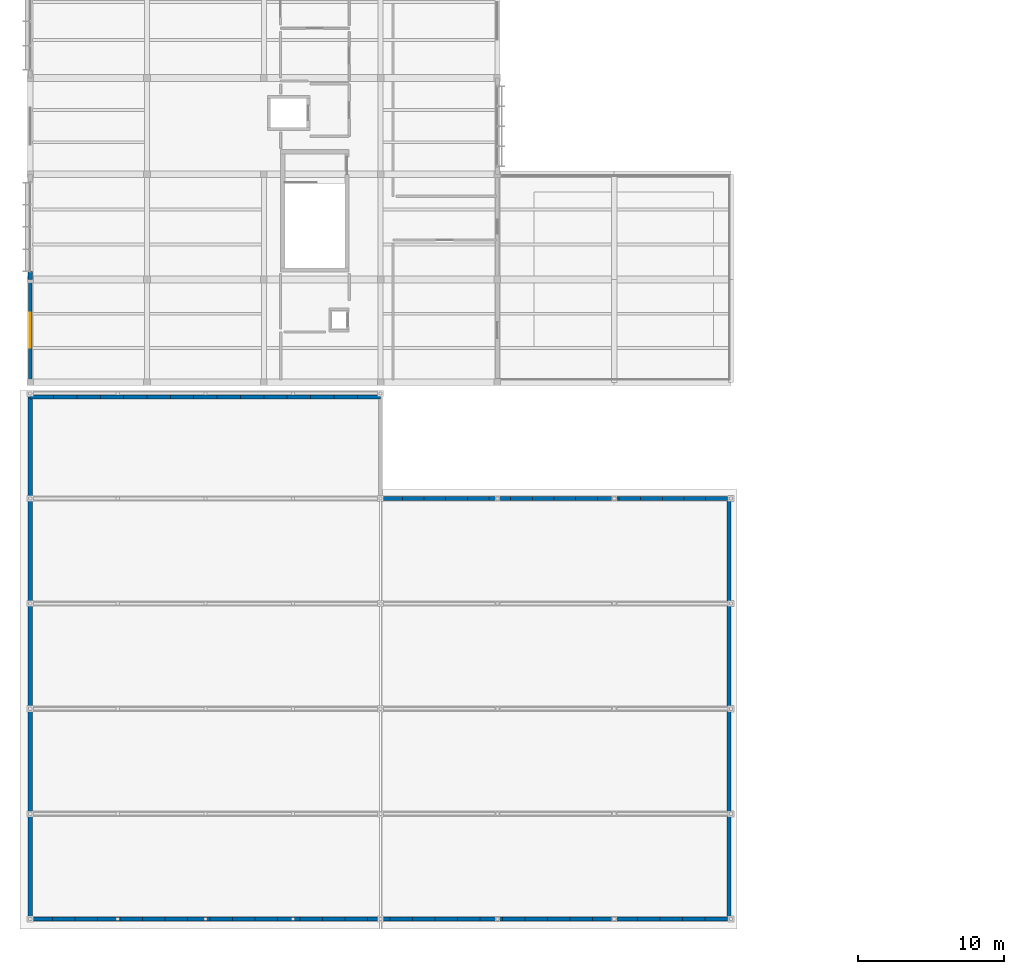
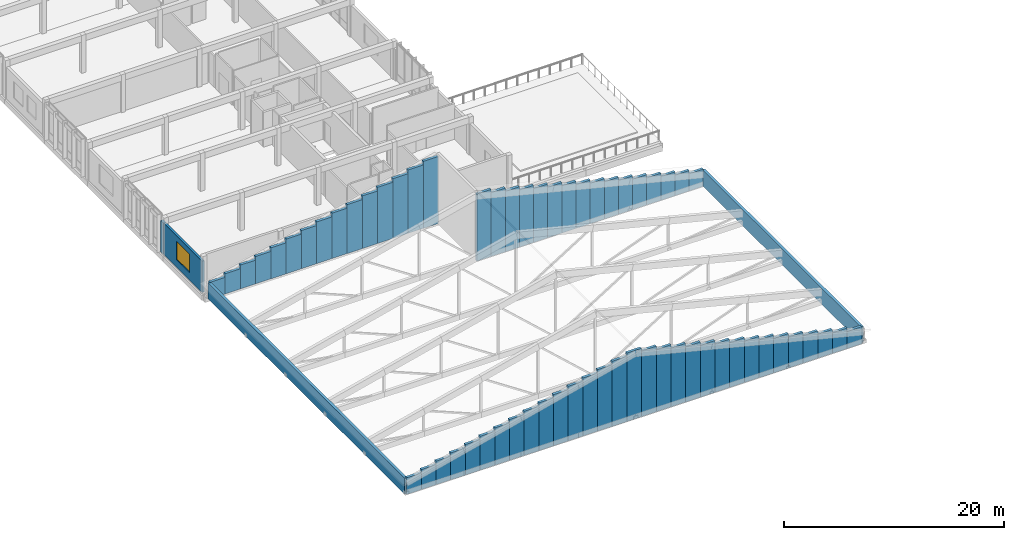
# One storey, part 88 of 107: 66 walls, 1 window, 1 opening.
"""IFC4 building model written with IfcOpenShell, lengths in metres."""

from ifc_helpers import new_model, si_unit, direction, frame, frame_2d, origin, origin_with_axes, place, context, subcontext, project, spatial, rectangle, extrude, material, layer, layer_set, type_object, element, fill, save


model = new_model("IFC4")

# Units and contexts
model_context = context("Model", 3, precision=1e-05, world=origin(), true_north=direction((0.0, 1.0)))
body_context = subcontext(model_context, "Body", "Model", "MODEL_VIEW")
ifc_project = project(units=[si_unit("LENGTHUNIT", "METRE"), si_unit("AREAUNIT", "SQUARE_METRE"), si_unit("VOLUMEUNIT", "CUBIC_METRE"), si_unit("PLANEANGLEUNIT", "RADIAN"), si_unit("MASSUNIT", "GRAM", prefix="KILO")], contexts=[model_context])

# Site, building, storey
site_placement = place(None, origin())
site = spatial("IfcSite", under=ifc_project, at=site_placement, CompositionType="ELEMENT")
building_placement = place(site_placement, origin())
building = spatial("IfcBuilding", under=site, at=building_placement, Name="Chiffa Square Polytechnic", CompositionType="ELEMENT")
storey_placement = place(building_placement, frame((0.0, 0.0, 13.800048828125)))
storey = spatial("IfcBuildingStorey", under=building, at=storey_placement, Name="L03", CompositionType="ELEMENT", Elevation=13.800048828125)

# Wall, opening, window
ifc_material_1 = material(Name="Precast concrete C40/50", Category="concrete")
ifc_layer_1 = layer(ifc_material_1, 0.239990234375, Name="Precast concrete C40/50")
ifc_layer_set_1 = layer_set([ifc_layer_1], Name="Precast concrete C40/50")
wall_type_1 = type_object("IfcWallType", Name="WL-EXT-PC240", PredefinedType="SOLIDWALL", material=ifc_layer_set_1)
wall_1_placement = place(storey_placement, frame((0.0, 43.800048828125, 0.0), z_axis=(0.0, 0.0, 1.0), x_axis=(0.0, -1.0, 0.0)))
wall_1 = element("IfcWall", 1, at=wall_1_placement, inside=storey, type_object=wall_type_1, Name="Exterior wall WE-V6-L03-0466", PredefinedType="SOLIDWALL", context=body_context, shape_type="SweptSolid", body=[
    extrude(rectangle(XDim=6.949951171875, YDim=0.239990234375, at=frame_2d((3.47509765625, 0.0))), origin(), (0.0, 0.0, 1.0), 3.48486328125),
])
opening_placement = place(wall_1_placement, frame((2.27490234375, 0.0, 0.85009765625)))
opening = element("IfcOpeningElement", 2, at=opening_placement, cuts=wall_1, Name="Opening W-10", PredefinedType="OPENING", context=body_context, shape_type="SweptSolid", body=[
    extrude(rectangle(XDim=2.39990234375, YDim=2.050048828125, at=frame_2d((1.199951171875, 1.02490234375))), frame((0.0, 0.1298828125, 0.0), z_axis=(0.0, -1.0, 0.0), x_axis=(1.0, 0.0, 0.0)), (0.0, 0.0, 1.0), 0.260009765625),
])
ifc_material_2 = material(Name="Double glazing in thermally broken aluminium frame", Category="aluminium")
window_type = type_object("IfcWindowType", Name="WIN-STD-2400X2050", PartitioningType="DOUBLE_PANEL_VERTICAL", PredefinedType="WINDOW", material=ifc_material_2)
window_placement = place(opening_placement, origin())
window = element("IfcWindow", 3, at=window_placement, inside=storey, type_object=window_type, Name="Facade window WN-L03-0310", OverallHeight=2.050048828125, OverallWidth=2.39990234375, PartitioningType="DOUBLE_PANEL_VERTICAL", PredefinedType="WINDOW", context=body_context, shape_type="SweptSolid", body=[
    extrude(rectangle(XDim=2.39990234375, YDim=2.050048828125, at=frame_2d((1.199951171875, 1.02490234375))), frame((0.0, 0.030029296875, 0.0), z_axis=(0.0, -1.0, 0.0), x_axis=(1.0, 0.0, 0.0)), (0.0, 0.0, 1.0), 0.06005859375),
])
fill(opening, window)

# Walls
ifc_layer_2 = layer(ifc_material_1, 0.280029296875, Name="Precast concrete C40/50")
ifc_layer_set_2 = layer_set([ifc_layer_2], Name="Precast concrete C40/50")
wall_type_2 = type_object("IfcWallType", Name="WL-EXT-PC280", PredefinedType="SOLIDWALL", material=ifc_layer_set_2)
wall_2_placement = place(storey_placement, frame((0.0, 44.340087890625, 0.0), z_axis=(0.0, 0.0, 1.0), x_axis=(0.0, -1.0, 0.0)))
element("IfcWall", 4, at=wall_2_placement, inside=storey, type_object=wall_type_2, Name="Facade column pier V6-L03-0465R", PredefinedType="SOLIDWALL", context=body_context, shape_type="SweptSolid", body=[
    extrude(rectangle(XDim=0.5400390625, YDim=0.280029296875, at=frame_2d((0.27001953125, 0.0))), origin(), (0.0, 0.0, 1.0), 3.48486328125),
])
wall_3_placement = place(storey_placement, frame((0.0, 0.0, 0.0), z_axis=(0.0, 0.0, 1.0), x_axis=(0.0, 1.0, 0.0)))
element("IfcWall", 5, at=wall_3_placement, inside=storey, type_object=wall_type_2, Name="Lecture pavilion west eave wall WE-V3-L03-EAVE-W", PredefinedType="SOLIDWALL", context=body_context, shape_type="SweptSolid", body=[
    extrude(rectangle(XDim=35.75, YDim=0.280029296875, at=frame_2d((17.875, 0.0))), origin(), (0.0, 0.0, 1.0), 1.780029296875),
])
wall_4_placement = place(storey_placement, frame((47.860107421875, 0.0, 0.0), z_axis=(0.0, 0.0, 1.0), x_axis=(0.0, 1.0, 0.0)))
element("IfcWall", 6, at=wall_4_placement, inside=storey, type_object=wall_type_2, Name="Lecture pavilion east eave wall WE-V3-L03-EAVE-E", PredefinedType="SOLIDWALL", context=body_context, shape_type="SweptSolid", body=[
    extrude(rectangle(XDim=28.800048828125, YDim=0.280029296875, at=frame_2d((14.39990234375, 0.0))), origin(), (0.0, 0.0, 1.0), 1.780029296875),
])
wall_5_placement = place(storey_placement, origin_with_axes())
element("IfcWall", 7, at=wall_5_placement, inside=storey, type_object=wall_type_2, Name="Stepped gable infill wall WE-V3-GBL-S-01", PredefinedType="SOLIDWALL", context=body_context, shape_type="SweptSolid", body=[
    extrude(rectangle(XDim=1.5400390625, YDim=0.280029296875, at=frame_2d((0.77001953125, 0.0))), origin(), (0.0, 0.0, 1.0), 1.837890625),
])
wall_6_placement = place(storey_placement, frame((1.5400390625, 0.0, 0.0), z_axis=(0.0, 0.0, 1.0), x_axis=(1.0, 0.0, 0.0)))
element("IfcWall", 8, at=wall_6_placement, inside=storey, type_object=wall_type_2, Name="Stepped gable infill wall WE-V3-GBL-S-02", PredefinedType="SOLIDWALL", context=body_context, shape_type="SweptSolid", body=[
    extrude(rectangle(XDim=1.541015625, YDim=0.280029296875, at=frame_2d((0.7705078125, 0.0))), origin(), (0.0, 0.0, 1.0), 2.221923828125),
])
wall_7_placement = place(storey_placement, frame((3.0810546875, 0.0, 0.0), z_axis=(0.0, 0.0, 1.0), x_axis=(1.0, 0.0, 0.0)))
element("IfcWall", 9, at=wall_7_placement, inside=storey, type_object=wall_type_2, Name="Stepped gable infill wall WE-V3-GBL-S-03", PredefinedType="SOLIDWALL", context=body_context, shape_type="SweptSolid", body=[
    extrude(rectangle(XDim=1.5400390625, YDim=0.280029296875, at=frame_2d((0.77001953125, 0.0))), origin(), (0.0, 0.0, 1.0), 2.60595703125),
])
wall_8_placement = place(storey_placement, frame((4.62109375, 0.0, 0.0), z_axis=(0.0, 0.0, 1.0), x_axis=(1.0, 0.0, 0.0)))
element("IfcWall", 10, at=wall_8_placement, inside=storey, type_object=wall_type_2, Name="Stepped gable infill wall WE-V3-GBL-S-04", PredefinedType="SOLIDWALL", context=body_context, shape_type="SweptSolid", body=[
    extrude(rectangle(XDim=1.539794921875, YDim=0.280029296875, at=frame_2d((0.77001953125, 0.0))), origin(), (0.0, 0.0, 1.0), 2.989990234375),
])
wall_9_placement = place(storey_placement, frame((6.160888671875, 0.0, 0.0), z_axis=(0.0, 0.0, 1.0), x_axis=(1.0, 0.0, 0.0)))
element("IfcWall", 11, at=wall_9_placement, inside=storey, type_object=wall_type_2, Name="Stepped gable infill wall WE-V3-GBL-S-05", PredefinedType="SOLIDWALL", context=body_context, shape_type="SweptSolid", body=[
    extrude(rectangle(XDim=1.541015625, YDim=0.280029296875, at=frame_2d((0.7705078125, 0.0))), origin(), (0.0, 0.0, 1.0), 3.3740234375),
])
wall_10_placement = place(storey_placement, frame((7.701904296875, 0.0, 0.0), z_axis=(0.0, 0.0, 1.0), x_axis=(1.0, 0.0, 0.0)))
element("IfcWall", 12, at=wall_10_placement, inside=storey, type_object=wall_type_2, Name="Stepped gable infill wall WE-V3-GBL-S-06", PredefinedType="SOLIDWALL", context=body_context, shape_type="SweptSolid", body=[
    extrude(rectangle(XDim=1.5400390625, YDim=0.280029296875, at=frame_2d((0.77001953125, 0.0))), origin(), (0.0, 0.0, 1.0), 3.758056640625),
])
wall_11_placement = place(storey_placement, frame((9.241943359375, 0.0, 0.0), z_axis=(0.0, 0.0, 1.0), x_axis=(1.0, 0.0, 0.0)))
element("IfcWall", 13, at=wall_11_placement, inside=storey, type_object=wall_type_2, Name="Stepped gable infill wall WE-V3-GBL-S-07", PredefinedType="SOLIDWALL", context=body_context, shape_type="SweptSolid", body=[
    extrude(rectangle(XDim=1.5400390625, YDim=0.280029296875, at=frame_2d((0.77001953125, 0.0))), origin(), (0.0, 0.0, 1.0), 4.141845703125),
])
wall_12_placement = place(storey_placement, frame((10.781982421875, 0.0, 0.0), z_axis=(0.0, 0.0, 1.0), x_axis=(1.0, 0.0, 0.0)))
element("IfcWall", 14, at=wall_12_placement, inside=storey, type_object=wall_type_2, Name="Stepped gable infill wall WE-V3-GBL-S-08", PredefinedType="SOLIDWALL", context=body_context, shape_type="SweptSolid", body=[
    extrude(rectangle(XDim=1.541015625, YDim=0.280029296875, at=frame_2d((0.7705078125, 0.0))), origin(), (0.0, 0.0, 1.0), 4.52587890625),
])
wall_13_placement = place(storey_placement, frame((12.322998046875, 0.0, 0.0), z_axis=(0.0, 0.0, 1.0), x_axis=(1.0, 0.0, 0.0)))
element("IfcWall", 15, at=wall_13_placement, inside=storey, type_object=wall_type_2, Name="Stepped gable infill wall WE-V3-GBL-S-09", PredefinedType="SOLIDWALL", context=body_context, shape_type="SweptSolid", body=[
    extrude(rectangle(XDim=1.5400390625, YDim=0.280029296875, at=frame_2d((0.77001953125, 0.0))), origin(), (0.0, 0.0, 1.0), 4.909912109375),
])
wall_14_placement = place(storey_placement, frame((13.863037109375, 0.0, 0.0), z_axis=(0.0, 0.0, 1.0), x_axis=(1.0, 0.0, 0.0)))
element("IfcWall", 16, at=wall_14_placement, inside=storey, type_object=wall_type_2, Name="Stepped gable infill wall WE-V3-GBL-S-10", PredefinedType="SOLIDWALL", context=body_context, shape_type="SweptSolid", body=[
    extrude(rectangle(XDim=1.5400390625, YDim=0.280029296875, at=frame_2d((0.77001953125, 0.0))), origin(), (0.0, 0.0, 1.0), 5.2939453125),
])
wall_15_placement = place(storey_placement, frame((15.403076171875, 0.0, 0.0), z_axis=(0.0, 0.0, 1.0), x_axis=(1.0, 0.0, 0.0)))
element("IfcWall", 17, at=wall_15_placement, inside=storey, type_object=wall_type_2, Name="Stepped gable infill wall WE-V3-GBL-S-11", PredefinedType="SOLIDWALL", context=body_context, shape_type="SweptSolid", body=[
    extrude(rectangle(XDim=1.541015625, YDim=0.280029296875, at=frame_2d((0.7705078125, 0.0))), origin(), (0.0, 0.0, 1.0), 5.677978515625),
])
wall_16_placement = place(storey_placement, frame((16.944091796875, 0.0, 0.0), z_axis=(0.0, 0.0, 1.0), x_axis=(1.0, 0.0, 0.0)))
element("IfcWall", 18, at=wall_16_placement, inside=storey, type_object=wall_type_2, Name="Stepped gable infill wall WE-V3-GBL-S-12", PredefinedType="SOLIDWALL", context=body_context, shape_type="SweptSolid", body=[
    extrude(rectangle(XDim=1.539794921875, YDim=0.280029296875, at=frame_2d((0.77001953125, 0.0))), origin(), (0.0, 0.0, 1.0), 6.06201171875),
])
wall_17_placement = place(storey_placement, frame((18.48388671875, 0.0, 0.0), z_axis=(0.0, 0.0, 1.0), x_axis=(1.0, 0.0, 0.0)))
element("IfcWall", 19, at=wall_17_placement, inside=storey, type_object=wall_type_2, Name="Stepped gable infill wall WE-V3-GBL-S-13", PredefinedType="SOLIDWALL", context=body_context, shape_type="SweptSolid", body=[
    extrude(rectangle(XDim=1.5400390625, YDim=0.280029296875, at=frame_2d((0.77001953125, 0.0))), origin(), (0.0, 0.0, 1.0), 6.446044921875),
])
wall_18_placement = place(storey_placement, frame((20.02392578125, 0.0, 0.0), z_axis=(0.0, 0.0, 1.0), x_axis=(1.0, 0.0, 0.0)))
element("IfcWall", 20, at=wall_18_placement, inside=storey, type_object=wall_type_2, Name="Stepped gable infill wall WE-V3-GBL-S-14", PredefinedType="SOLIDWALL", context=body_context, shape_type="SweptSolid", body=[
    extrude(rectangle(XDim=1.541015625, YDim=0.280029296875, at=frame_2d((0.7705078125, 0.0))), origin(), (0.0, 0.0, 1.0), 6.829833984375),
])
wall_19_placement = place(storey_placement, frame((21.56494140625, 0.0, 0.0), z_axis=(0.0, 0.0, 1.0), x_axis=(1.0, 0.0, 0.0)))
element("IfcWall", 21, at=wall_19_placement, inside=storey, type_object=wall_type_2, Name="Stepped gable infill wall WE-V3-GBL-S-15", PredefinedType="SOLIDWALL", context=body_context, shape_type="SweptSolid", body=[
    extrude(rectangle(XDim=1.5400390625, YDim=0.280029296875, at=frame_2d((0.77001953125, 0.0))), origin(), (0.0, 0.0, 1.0), 7.2138671875),
])
wall_20_placement = place(storey_placement, frame((23.10498046875, 0.0, 0.0), z_axis=(0.0, 0.0, 1.0), x_axis=(1.0, 0.0, 0.0)))
element("IfcWall", 22, at=wall_20_placement, inside=storey, type_object=wall_type_2, Name="Stepped gable infill wall WE-V3-GBL-S-16", PredefinedType="SOLIDWALL", context=body_context, shape_type="SweptSolid", body=[
    extrude(rectangle(XDim=1.5400390625, YDim=0.280029296875, at=frame_2d((0.77001953125, 0.0))), origin(), (0.0, 0.0, 1.0), 7.597900390625),
])
wall_21_placement = place(storey_placement, frame((24.64501953125, 0.0, 0.0), z_axis=(0.0, 0.0, 1.0), x_axis=(1.0, 0.0, 0.0)))
element("IfcWall", 23, at=wall_21_placement, inside=storey, type_object=wall_type_2, Name="Stepped gable infill wall WE-V3-GBL-S-17", PredefinedType="SOLIDWALL", context=body_context, shape_type="SweptSolid", body=[
    extrude(rectangle(XDim=1.5400390625, YDim=0.280029296875, at=frame_2d((0.77001953125, 0.0))), origin(), (0.0, 0.0, 1.0), 7.27685546875),
])
wall_22_placement = place(storey_placement, frame((26.18505859375, 0.0, 0.0), z_axis=(0.0, 0.0, 1.0), x_axis=(1.0, 0.0, 0.0)))
element("IfcWall", 24, at=wall_22_placement, inside=storey, type_object=wall_type_2, Name="Stepped gable infill wall WE-V3-GBL-S-18", PredefinedType="SOLIDWALL", context=body_context, shape_type="SweptSolid", body=[
    extrude(rectangle(XDim=1.541015625, YDim=0.280029296875, at=frame_2d((0.7705078125, 0.0))), origin(), (0.0, 0.0, 1.0), 6.89306640625),
])
wall_23_placement = place(storey_placement, frame((27.72607421875, 0.0, 0.0), z_axis=(0.0, 0.0, 1.0), x_axis=(1.0, 0.0, 0.0)))
element("IfcWall", 25, at=wall_23_placement, inside=storey, type_object=wall_type_2, Name="Stepped gable infill wall WE-V3-GBL-S-19", PredefinedType="SOLIDWALL", context=body_context, shape_type="SweptSolid", body=[
    extrude(rectangle(XDim=1.5400390625, YDim=0.280029296875, at=frame_2d((0.77001953125, 0.0))), origin(), (0.0, 0.0, 1.0), 6.508056640625),
])
wall_24_placement = place(storey_placement, frame((29.26611328125, 0.0, 0.0), z_axis=(0.0, 0.0, 1.0), x_axis=(1.0, 0.0, 0.0)))
element("IfcWall", 26, at=wall_24_placement, inside=storey, type_object=wall_type_2, Name="Stepped gable infill wall WE-V3-GBL-S-20", PredefinedType="SOLIDWALL", context=body_context, shape_type="SweptSolid", body=[
    extrude(rectangle(XDim=1.539794921875, YDim=0.280029296875, at=frame_2d((0.77001953125, 0.0))), origin(), (0.0, 0.0, 1.0), 6.1240234375),
])
wall_25_placement = place(storey_placement, frame((30.805908203125, 0.0, 0.0), z_axis=(0.0, 0.0, 1.0), x_axis=(1.0, 0.0, 0.0)))
element("IfcWall", 27, at=wall_25_placement, inside=storey, type_object=wall_type_2, Name="Stepped gable infill wall WE-V3-GBL-S-21", PredefinedType="SOLIDWALL", context=body_context, shape_type="SweptSolid", body=[
    extrude(rectangle(XDim=1.541015625, YDim=0.280029296875, at=frame_2d((0.7705078125, 0.0))), origin(), (0.0, 0.0, 1.0), 5.739990234375),
])
wall_26_placement = place(storey_placement, frame((32.346923828125, 0.0, 0.0), z_axis=(0.0, 0.0, 1.0), x_axis=(1.0, 0.0, 0.0)))
element("IfcWall", 28, at=wall_26_placement, inside=storey, type_object=wall_type_2, Name="Stepped gable infill wall WE-V3-GBL-S-22", PredefinedType="SOLIDWALL", context=body_context, shape_type="SweptSolid", body=[
    extrude(rectangle(XDim=1.5400390625, YDim=0.280029296875, at=frame_2d((0.77001953125, 0.0))), origin(), (0.0, 0.0, 1.0), 5.35595703125),
])
wall_27_placement = place(storey_placement, frame((33.886962890625, 0.0, 0.0), z_axis=(0.0, 0.0, 1.0), x_axis=(1.0, 0.0, 0.0)))
element("IfcWall", 29, at=wall_27_placement, inside=storey, type_object=wall_type_2, Name="Stepped gable infill wall WE-V3-GBL-S-23", PredefinedType="SOLIDWALL", context=body_context, shape_type="SweptSolid", body=[
    extrude(rectangle(XDim=1.5400390625, YDim=0.280029296875, at=frame_2d((0.77001953125, 0.0))), origin(), (0.0, 0.0, 1.0), 4.971923828125),
])
wall_28_placement = place(storey_placement, frame((35.427001953125, 0.0, 0.0), z_axis=(0.0, 0.0, 1.0), x_axis=(1.0, 0.0, 0.0)))
element("IfcWall", 30, at=wall_28_placement, inside=storey, type_object=wall_type_2, Name="Stepped gable infill wall WE-V3-GBL-S-24", PredefinedType="SOLIDWALL", context=body_context, shape_type="SweptSolid", body=[
    extrude(rectangle(XDim=1.541015625, YDim=0.280029296875, at=frame_2d((0.7705078125, 0.0))), origin(), (0.0, 0.0, 1.0), 4.587890625),
])
wall_29_placement = place(storey_placement, frame((36.968017578125, 0.0, 0.0), z_axis=(0.0, 0.0, 1.0), x_axis=(1.0, 0.0, 0.0)))
element("IfcWall", 31, at=wall_29_placement, inside=storey, type_object=wall_type_2, Name="Stepped gable infill wall WE-V3-GBL-S-25", PredefinedType="SOLIDWALL", context=body_context, shape_type="SweptSolid", body=[
    extrude(rectangle(XDim=1.5400390625, YDim=0.280029296875, at=frame_2d((0.77001953125, 0.0))), origin(), (0.0, 0.0, 1.0), 4.203857421875),
])
wall_30_placement = place(storey_placement, frame((38.508056640625, 0.0, 0.0), z_axis=(0.0, 0.0, 1.0), x_axis=(1.0, 0.0, 0.0)))
element("IfcWall", 32, at=wall_30_placement, inside=storey, type_object=wall_type_2, Name="Stepped gable infill wall WE-V3-GBL-S-26", PredefinedType="SOLIDWALL", context=body_context, shape_type="SweptSolid", body=[
    extrude(rectangle(XDim=1.5400390625, YDim=0.280029296875, at=frame_2d((0.77001953125, 0.0))), origin(), (0.0, 0.0, 1.0), 3.820068359375),
])
wall_31_placement = place(storey_placement, frame((40.048095703125, 0.0, 0.0), z_axis=(0.0, 0.0, 1.0), x_axis=(1.0, 0.0, 0.0)))
element("IfcWall", 33, at=wall_31_placement, inside=storey, type_object=wall_type_2, Name="Stepped gable infill wall WE-V3-GBL-S-27", PredefinedType="SOLIDWALL", context=body_context, shape_type="SweptSolid", body=[
    extrude(rectangle(XDim=1.541015625, YDim=0.280029296875, at=frame_2d((0.7705078125, 0.0))), origin(), (0.0, 0.0, 1.0), 3.43603515625),
])
wall_32_placement = place(storey_placement, frame((41.589111328125, 0.0, 0.0), z_axis=(0.0, 0.0, 1.0), x_axis=(1.0, 0.0, 0.0)))
element("IfcWall", 34, at=wall_32_placement, inside=storey, type_object=wall_type_2, Name="Stepped gable infill wall WE-V3-GBL-S-28", PredefinedType="SOLIDWALL", context=body_context, shape_type="SweptSolid", body=[
    extrude(rectangle(XDim=1.539794921875, YDim=0.280029296875, at=frame_2d((0.77001953125, 0.0))), origin(), (0.0, 0.0, 1.0), 3.052001953125),
])
wall_33_placement = place(storey_placement, frame((43.12890625, 0.0, 0.0), z_axis=(0.0, 0.0, 1.0), x_axis=(1.0, 0.0, 0.0)))
element("IfcWall", 35, at=wall_33_placement, inside=storey, type_object=wall_type_2, Name="Stepped gable infill wall WE-V3-GBL-S-29", PredefinedType="SOLIDWALL", context=body_context, shape_type="SweptSolid", body=[
    extrude(rectangle(XDim=1.5400390625, YDim=0.280029296875, at=frame_2d((0.77001953125, 0.0))), origin(), (0.0, 0.0, 1.0), 2.66796875),
])
wall_34_placement = place(storey_placement, frame((44.6689453125, 0.0, 0.0), z_axis=(0.0, 0.0, 1.0), x_axis=(1.0, 0.0, 0.0)))
element("IfcWall", 36, at=wall_34_placement, inside=storey, type_object=wall_type_2, Name="Stepped gable infill wall WE-V3-GBL-S-30", PredefinedType="SOLIDWALL", context=body_context, shape_type="SweptSolid", body=[
    extrude(rectangle(XDim=1.541015625, YDim=0.280029296875, at=frame_2d((0.7705078125, 0.0))), origin(), (0.0, 0.0, 1.0), 2.283935546875),
])
wall_35_placement = place(storey_placement, frame((46.2099609375, 0.0, 0.0), z_axis=(0.0, 0.0, 1.0), x_axis=(1.0, 0.0, 0.0)))
element("IfcWall", 37, at=wall_35_placement, inside=storey, type_object=wall_type_2, Name="Stepped gable infill wall WE-V3-GBL-S-31", PredefinedType="SOLIDWALL", context=body_context, shape_type="SweptSolid", body=[
    extrude(rectangle(XDim=1.5400390625, YDim=0.280029296875, at=frame_2d((0.77001953125, 0.0))), origin(), (0.0, 0.0, 1.0), 1.89990234375),
])
wall_36_placement = place(storey_placement, frame((0.0, 35.75, 0.0), z_axis=(0.0, 0.0, 1.0), x_axis=(1.0, 0.0, 0.0)))
element("IfcWall", 38, at=wall_36_placement, inside=storey, type_object=wall_type_2, Name="Stepped gable infill wall WE-V3-GBL-NW-01", PredefinedType="SOLIDWALL", context=body_context, shape_type="SweptSolid", body=[
    extrude(rectangle(XDim=1.60009765625, YDim=0.280029296875, at=frame_2d((0.800048828125, 0.0))), origin(), (0.0, 0.0, 1.0), 1.83984375),
])
wall_37_placement = place(storey_placement, frame((1.60009765625, 35.75, 0.0), z_axis=(0.0, 0.0, 1.0), x_axis=(1.0, 0.0, 0.0)))
element("IfcWall", 39, at=wall_37_placement, inside=storey, type_object=wall_type_2, Name="Stepped gable infill wall WE-V3-GBL-NW-02", PredefinedType="SOLIDWALL", context=body_context, shape_type="SweptSolid", body=[
    extrude(rectangle(XDim=1.599853515625, YDim=0.280029296875, at=frame_2d((0.7998046875, 0.0))), origin(), (0.0, 0.0, 1.0), 2.239013671875),
])
wall_38_placement = place(storey_placement, frame((3.199951171875, 35.75, 0.0), z_axis=(0.0, 0.0, 1.0), x_axis=(1.0, 0.0, 0.0)))
element("IfcWall", 40, at=wall_38_placement, inside=storey, type_object=wall_type_2, Name="Stepped gable infill wall WE-V3-GBL-NW-03", PredefinedType="SOLIDWALL", context=body_context, shape_type="SweptSolid", body=[
    extrude(rectangle(XDim=1.60009765625, YDim=0.280029296875, at=frame_2d((0.800048828125, 0.0))), origin(), (0.0, 0.0, 1.0), 2.637939453125),
])
wall_39_placement = place(storey_placement, frame((4.800048828125, 35.75, 0.0), z_axis=(0.0, 0.0, 1.0), x_axis=(1.0, 0.0, 0.0)))
element("IfcWall", 41, at=wall_39_placement, inside=storey, type_object=wall_type_2, Name="Stepped gable infill wall WE-V3-GBL-NW-04", PredefinedType="SOLIDWALL", context=body_context, shape_type="SweptSolid", body=[
    extrude(rectangle(XDim=1.599853515625, YDim=0.280029296875, at=frame_2d((0.7998046875, 0.0))), origin(), (0.0, 0.0, 1.0), 3.036865234375),
])
wall_40_placement = place(storey_placement, frame((6.39990234375, 35.75, 0.0), z_axis=(0.0, 0.0, 1.0), x_axis=(1.0, 0.0, 0.0)))
element("IfcWall", 42, at=wall_40_placement, inside=storey, type_object=wall_type_2, Name="Stepped gable infill wall WE-V3-GBL-NW-05", PredefinedType="SOLIDWALL", context=body_context, shape_type="SweptSolid", body=[
    extrude(rectangle(XDim=1.60009765625, YDim=0.280029296875, at=frame_2d((0.800048828125, 0.0))), origin(), (0.0, 0.0, 1.0), 3.43603515625),
])
wall_41_placement = place(storey_placement, frame((8.0, 35.75, 0.0), z_axis=(0.0, 0.0, 1.0), x_axis=(1.0, 0.0, 0.0)))
element("IfcWall", 43, at=wall_41_placement, inside=storey, type_object=wall_type_2, Name="Stepped gable infill wall WE-V3-GBL-NW-06", PredefinedType="SOLIDWALL", context=body_context, shape_type="SweptSolid", body=[
    extrude(rectangle(XDim=1.60009765625, YDim=0.280029296875, at=frame_2d((0.800048828125, 0.0))), origin(), (0.0, 0.0, 1.0), 3.833984375),
])
wall_42_placement = place(storey_placement, frame((9.60009765625, 35.75, 0.0), z_axis=(0.0, 0.0, 1.0), x_axis=(1.0, 0.0, 0.0)))
element("IfcWall", 44, at=wall_42_placement, inside=storey, type_object=wall_type_2, Name="Stepped gable infill wall WE-V3-GBL-NW-07", PredefinedType="SOLIDWALL", context=body_context, shape_type="SweptSolid", body=[
    extrude(rectangle(XDim=1.599853515625, YDim=0.280029296875, at=frame_2d((0.7998046875, 0.0))), origin(), (0.0, 0.0, 1.0), 4.23291015625),
])
wall_43_placement = place(storey_placement, frame((11.199951171875, 35.75, 0.0), z_axis=(0.0, 0.0, 1.0), x_axis=(1.0, 0.0, 0.0)))
element("IfcWall", 45, at=wall_43_placement, inside=storey, type_object=wall_type_2, Name="Stepped gable infill wall WE-V3-GBL-NW-08", PredefinedType="SOLIDWALL", context=body_context, shape_type="SweptSolid", body=[
    extrude(rectangle(XDim=1.60009765625, YDim=0.280029296875, at=frame_2d((0.800048828125, 0.0))), origin(), (0.0, 0.0, 1.0), 4.6318359375),
])
wall_44_placement = place(storey_placement, frame((12.800048828125, 35.75, 0.0), z_axis=(0.0, 0.0, 1.0), x_axis=(1.0, 0.0, 0.0)))
element("IfcWall", 46, at=wall_44_placement, inside=storey, type_object=wall_type_2, Name="Stepped gable infill wall WE-V3-GBL-NW-09", PredefinedType="SOLIDWALL", context=body_context, shape_type="SweptSolid", body=[
    extrude(rectangle(XDim=1.599853515625, YDim=0.280029296875, at=frame_2d((0.7998046875, 0.0))), origin(), (0.0, 0.0, 1.0), 5.031005859375),
])
wall_45_placement = place(storey_placement, frame((14.39990234375, 35.75, 0.0), z_axis=(0.0, 0.0, 1.0), x_axis=(1.0, 0.0, 0.0)))
element("IfcWall", 47, at=wall_45_placement, inside=storey, type_object=wall_type_2, Name="Stepped gable infill wall WE-V3-GBL-NW-10", PredefinedType="SOLIDWALL", context=body_context, shape_type="SweptSolid", body=[
    extrude(rectangle(XDim=1.60009765625, YDim=0.280029296875, at=frame_2d((0.800048828125, 0.0))), origin(), (0.0, 0.0, 1.0), 5.429931640625),
])
wall_46_placement = place(storey_placement, frame((16.0, 35.75, 0.0), z_axis=(0.0, 0.0, 1.0), x_axis=(1.0, 0.0, 0.0)))
element("IfcWall", 48, at=wall_46_placement, inside=storey, type_object=wall_type_2, Name="Stepped gable infill wall WE-V3-GBL-NW-11", PredefinedType="SOLIDWALL", context=body_context, shape_type="SweptSolid", body=[
    extrude(rectangle(XDim=1.60009765625, YDim=0.280029296875, at=frame_2d((0.800048828125, 0.0))), origin(), (0.0, 0.0, 1.0), 5.828857421875),
])
wall_47_placement = place(storey_placement, frame((17.60009765625, 35.75, 0.0), z_axis=(0.0, 0.0, 1.0), x_axis=(1.0, 0.0, 0.0)))
element("IfcWall", 49, at=wall_47_placement, inside=storey, type_object=wall_type_2, Name="Stepped gable infill wall WE-V3-GBL-NW-12", PredefinedType="SOLIDWALL", context=body_context, shape_type="SweptSolid", body=[
    extrude(rectangle(XDim=1.599853515625, YDim=0.280029296875, at=frame_2d((0.7998046875, 0.0))), origin(), (0.0, 0.0, 1.0), 6.22802734375),
])
wall_48_placement = place(storey_placement, frame((19.199951171875, 35.75, 0.0), z_axis=(0.0, 0.0, 1.0), x_axis=(1.0, 0.0, 0.0)))
element("IfcWall", 50, at=wall_48_placement, inside=storey, type_object=wall_type_2, Name="Stepped gable infill wall WE-V3-GBL-NW-13", PredefinedType="SOLIDWALL", context=body_context, shape_type="SweptSolid", body=[
    extrude(rectangle(XDim=1.60009765625, YDim=0.280029296875, at=frame_2d((0.800048828125, 0.0))), origin(), (0.0, 0.0, 1.0), 6.626953125),
])
wall_49_placement = place(storey_placement, frame((20.800048828125, 35.75, 0.0), z_axis=(0.0, 0.0, 1.0), x_axis=(1.0, 0.0, 0.0)))
element("IfcWall", 51, at=wall_49_placement, inside=storey, type_object=wall_type_2, Name="Stepped gable infill wall WE-V3-GBL-NW-14", PredefinedType="SOLIDWALL", context=body_context, shape_type="SweptSolid", body=[
    extrude(rectangle(XDim=1.599853515625, YDim=0.280029296875, at=frame_2d((0.7998046875, 0.0))), origin(), (0.0, 0.0, 1.0), 7.02587890625),
])
wall_50_placement = place(storey_placement, frame((22.39990234375, 35.75, 0.0), z_axis=(0.0, 0.0, 1.0), x_axis=(1.0, 0.0, 0.0)))
element("IfcWall", 52, at=wall_50_placement, inside=storey, type_object=wall_type_2, Name="Stepped gable infill wall WE-V3-GBL-NW-15", PredefinedType="SOLIDWALL", context=body_context, shape_type="SweptSolid", body=[
    extrude(rectangle(XDim=1.60009765625, YDim=0.280029296875, at=frame_2d((0.800048828125, 0.0))), origin(), (0.0, 0.0, 1.0), 7.425048828125),
])
wall_51_placement = place(storey_placement, frame((24.0, 28.800048828125, 0.0), z_axis=(0.0, 0.0, 1.0), x_axis=(1.0, 0.0, 0.0)))
element("IfcWall", 53, at=wall_51_placement, inside=storey, type_object=wall_type_2, Name="Stepped gable infill wall WE-V3-GBL-NE-01", PredefinedType="SOLIDWALL", context=body_context, shape_type="SweptSolid", body=[
    extrude(rectangle(XDim=1.48388671875, YDim=0.280029296875, at=frame_2d((0.741943359375, 0.0))), origin(), (0.0, 0.0, 1.0), 7.448974609375),
])
wall_52_placement = place(storey_placement, frame((25.48388671875, 28.800048828125, 0.0), z_axis=(0.0, 0.0, 1.0), x_axis=(1.0, 0.0, 0.0)))
element("IfcWall", 54, at=wall_52_placement, inside=storey, type_object=wall_type_2, Name="Stepped gable infill wall WE-V3-GBL-NE-02", PredefinedType="SOLIDWALL", context=body_context, shape_type="SweptSolid", body=[
    extrude(rectangle(XDim=1.485107421875, YDim=0.280029296875, at=frame_2d((0.74267578125, 0.0))), origin(), (0.0, 0.0, 1.0), 7.078857421875),
])
wall_53_placement = place(storey_placement, frame((26.968994140625, 28.800048828125, 0.0), z_axis=(0.0, 0.0, 1.0), x_axis=(1.0, 0.0, 0.0)))
element("IfcWall", 55, at=wall_53_placement, inside=storey, type_object=wall_type_2, Name="Stepped gable infill wall WE-V3-GBL-NE-03", PredefinedType="SOLIDWALL", context=body_context, shape_type="SweptSolid", body=[
    extrude(rectangle(XDim=1.48388671875, YDim=0.280029296875, at=frame_2d((0.741943359375, 0.0))), origin(), (0.0, 0.0, 1.0), 6.708984375),
])
wall_54_placement = place(storey_placement, frame((28.452880859375, 28.800048828125, 0.0), z_axis=(0.0, 0.0, 1.0), x_axis=(1.0, 0.0, 0.0)))
element("IfcWall", 56, at=wall_54_placement, inside=storey, type_object=wall_type_2, Name="Stepped gable infill wall WE-V3-GBL-NE-04", PredefinedType="SOLIDWALL", context=body_context, shape_type="SweptSolid", body=[
    extrude(rectangle(XDim=1.485107421875, YDim=0.280029296875, at=frame_2d((0.74267578125, 0.0))), origin(), (0.0, 0.0, 1.0), 6.3388671875),
])
wall_55_placement = place(storey_placement, frame((29.93798828125, 28.800048828125, 0.0), z_axis=(0.0, 0.0, 1.0), x_axis=(1.0, 0.0, 0.0)))
element("IfcWall", 57, at=wall_55_placement, inside=storey, type_object=wall_type_2, Name="Stepped gable infill wall WE-V3-GBL-NE-05", PredefinedType="SOLIDWALL", context=body_context, shape_type="SweptSolid", body=[
    extrude(rectangle(XDim=1.484130859375, YDim=0.280029296875, at=frame_2d((0.7421875, 0.0))), origin(), (0.0, 0.0, 1.0), 5.968994140625),
])
wall_56_placement = place(storey_placement, frame((31.422119140625, 28.800048828125, 0.0), z_axis=(0.0, 0.0, 1.0), x_axis=(1.0, 0.0, 0.0)))
element("IfcWall", 58, at=wall_56_placement, inside=storey, type_object=wall_type_2, Name="Stepped gable infill wall WE-V3-GBL-NE-06", PredefinedType="SOLIDWALL", context=body_context, shape_type="SweptSolid", body=[
    extrude(rectangle(XDim=1.48388671875, YDim=0.280029296875, at=frame_2d((0.741943359375, 0.0))), origin(), (0.0, 0.0, 1.0), 5.598876953125),
])
wall_57_placement = place(storey_placement, frame((32.906005859375, 28.800048828125, 0.0), z_axis=(0.0, 0.0, 1.0), x_axis=(1.0, 0.0, 0.0)))
element("IfcWall", 59, at=wall_57_placement, inside=storey, type_object=wall_type_2, Name="Stepped gable infill wall WE-V3-GBL-NE-07", PredefinedType="SOLIDWALL", context=body_context, shape_type="SweptSolid", body=[
    extrude(rectangle(XDim=1.485107421875, YDim=0.280029296875, at=frame_2d((0.74267578125, 0.0))), origin(), (0.0, 0.0, 1.0), 5.22900390625),
])
wall_58_placement = place(storey_placement, frame((34.39111328125, 28.800048828125, 0.0), z_axis=(0.0, 0.0, 1.0), x_axis=(1.0, 0.0, 0.0)))
element("IfcWall", 60, at=wall_58_placement, inside=storey, type_object=wall_type_2, Name="Stepped gable infill wall WE-V3-GBL-NE-08", PredefinedType="SOLIDWALL", context=body_context, shape_type="SweptSolid", body=[
    extrude(rectangle(XDim=1.48388671875, YDim=0.280029296875, at=frame_2d((0.741943359375, 0.0))), origin(), (0.0, 0.0, 1.0), 4.85888671875),
])
wall_59_placement = place(storey_placement, frame((35.875, 28.800048828125, 0.0), z_axis=(0.0, 0.0, 1.0), x_axis=(1.0, 0.0, 0.0)))
element("IfcWall", 61, at=wall_59_placement, inside=storey, type_object=wall_type_2, Name="Stepped gable infill wall WE-V3-GBL-NE-09", PredefinedType="SOLIDWALL", context=body_context, shape_type="SweptSolid", body=[
    extrude(rectangle(XDim=1.48388671875, YDim=0.280029296875, at=frame_2d((0.741943359375, 0.0))), origin(), (0.0, 0.0, 1.0), 4.489013671875),
])
wall_60_placement = place(storey_placement, frame((37.35888671875, 28.800048828125, 0.0), z_axis=(0.0, 0.0, 1.0), x_axis=(1.0, 0.0, 0.0)))
element("IfcWall", 62, at=wall_60_placement, inside=storey, type_object=wall_type_2, Name="Stepped gable infill wall WE-V3-GBL-NE-10", PredefinedType="SOLIDWALL", context=body_context, shape_type="SweptSolid", body=[
    extrude(rectangle(XDim=1.485107421875, YDim=0.280029296875, at=frame_2d((0.74267578125, 0.0))), origin(), (0.0, 0.0, 1.0), 4.117919921875),
])
wall_61_placement = place(storey_placement, frame((38.843994140625, 28.800048828125, 0.0), z_axis=(0.0, 0.0, 1.0), x_axis=(1.0, 0.0, 0.0)))
element("IfcWall", 63, at=wall_61_placement, inside=storey, type_object=wall_type_2, Name="Stepped gable infill wall WE-V3-GBL-NE-11", PredefinedType="SOLIDWALL", context=body_context, shape_type="SweptSolid", body=[
    extrude(rectangle(XDim=1.48388671875, YDim=0.280029296875, at=frame_2d((0.741943359375, 0.0))), origin(), (0.0, 0.0, 1.0), 3.748046875),
])
wall_62_placement = place(storey_placement, frame((40.327880859375, 28.800048828125, 0.0), z_axis=(0.0, 0.0, 1.0), x_axis=(1.0, 0.0, 0.0)))
element("IfcWall", 64, at=wall_62_placement, inside=storey, type_object=wall_type_2, Name="Stepped gable infill wall WE-V3-GBL-NE-12", PredefinedType="SOLIDWALL", context=body_context, shape_type="SweptSolid", body=[
    extrude(rectangle(XDim=1.484130859375, YDim=0.280029296875, at=frame_2d((0.7421875, 0.0))), origin(), (0.0, 0.0, 1.0), 3.3779296875),
])
wall_63_placement = place(storey_placement, frame((41.81201171875, 28.800048828125, 0.0), z_axis=(0.0, 0.0, 1.0), x_axis=(1.0, 0.0, 0.0)))
element("IfcWall", 65, at=wall_63_placement, inside=storey, type_object=wall_type_2, Name="Stepped gable infill wall WE-V3-GBL-NE-13", PredefinedType="SOLIDWALL", context=body_context, shape_type="SweptSolid", body=[
    extrude(rectangle(XDim=1.485107421875, YDim=0.280029296875, at=frame_2d((0.74267578125, 0.0))), origin(), (0.0, 0.0, 1.0), 3.008056640625),
])
wall_64_placement = place(storey_placement, frame((43.297119140625, 28.800048828125, 0.0), z_axis=(0.0, 0.0, 1.0), x_axis=(1.0, 0.0, 0.0)))
element("IfcWall", 66, at=wall_64_placement, inside=storey, type_object=wall_type_2, Name="Stepped gable infill wall WE-V3-GBL-NE-14", PredefinedType="SOLIDWALL", context=body_context, shape_type="SweptSolid", body=[
    extrude(rectangle(XDim=1.48388671875, YDim=0.280029296875, at=frame_2d((0.741943359375, 0.0))), origin(), (0.0, 0.0, 1.0), 2.637939453125),
])
wall_65_placement = place(storey_placement, frame((44.781005859375, 28.800048828125, 0.0), z_axis=(0.0, 0.0, 1.0), x_axis=(1.0, 0.0, 0.0)))
element("IfcWall", 67, at=wall_65_placement, inside=storey, type_object=wall_type_2, Name="Stepped gable infill wall WE-V3-GBL-NE-15", PredefinedType="SOLIDWALL", context=body_context, shape_type="SweptSolid", body=[
    extrude(rectangle(XDim=1.485107421875, YDim=0.280029296875, at=frame_2d((0.74267578125, 0.0))), origin(), (0.0, 0.0, 1.0), 2.26806640625),
])
wall_66_placement = place(storey_placement, frame((46.26611328125, 28.800048828125, 0.0), z_axis=(0.0, 0.0, 1.0), x_axis=(1.0, 0.0, 0.0)))
element("IfcWall", 68, at=wall_66_placement, inside=storey, type_object=wall_type_2, Name="Stepped gable infill wall WE-V3-GBL-NE-16", PredefinedType="SOLIDWALL", context=body_context, shape_type="SweptSolid", body=[
    extrude(rectangle(XDim=1.48388671875, YDim=0.280029296875, at=frame_2d((0.741943359375, 0.0))), origin(), (0.0, 0.0, 1.0), 1.89794921875),
])

save(model, "model.ifc")
